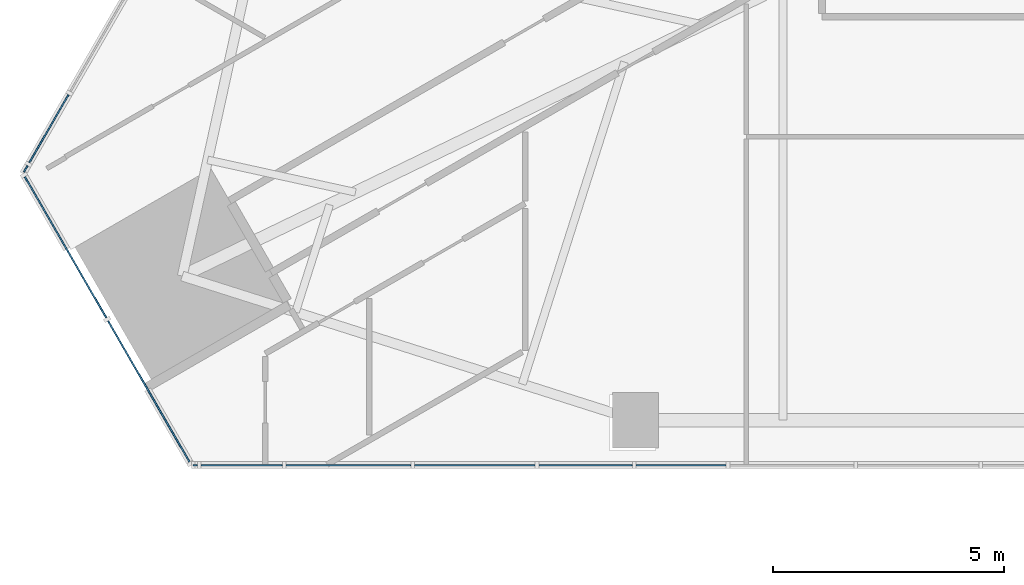
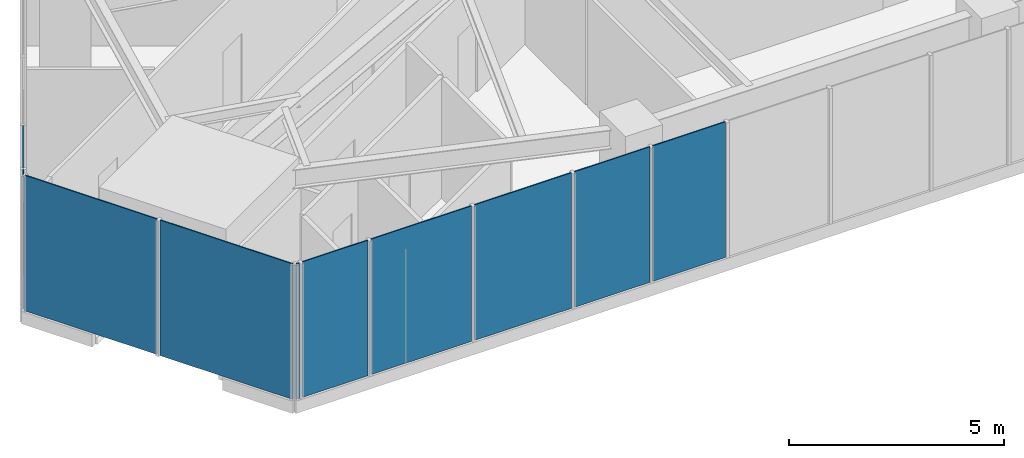
# One storey, part 13 of 29: 10 plates, 3 elements without a shape of their own.
"""IFC4 building model written with IfcOpenShell, lengths in metres."""

import ifcopenshell
import ifcopenshell.guid

model = None  # the IFC model being written
_history = None  # IfcOwnerHistory: only IFC2X3 demands one
_inside = {}  # id of a spatial element -> (the spatial element, [elements in it])
_under = {}  # id of a project, library or spatial element -> (it, [spatial elements below it])
_declared = {}  # id of a project -> (the project, [libraries it declares])
_typed = {}  # id of a type object -> (the type object, [elements of that type])
_made_of = {}  # id of a material, layer set ... -> (it, [elements and type objects made of it])


def new_model(schema):
    """Start an empty IFC model of exactly this schema.

    Asked for "IFC4X3", IfcOpenShell would pick the latest addendum, in which some entities
    have other attributes; the version numbers below select the first issue.
    IFC2X3 requires an IfcOwnerHistory on every rooted entity: one is made here for all.
    """
    global model, _history
    if schema == "IFC4X3":
        model = ifcopenshell.file(schema_version=(4, 3, 0, 0))
    else:
        model = ifcopenshell.file(schema=schema)
    _inside.clear()
    _under.clear()
    _declared.clear()
    _typed.clear()
    _made_of.clear()
    _history = None
    if model.schema == "IFC2X3":
        org = make("IfcOrganization", Name="unknown")
        user = make(
            "IfcPersonAndOrganization",
            ThePerson=make("IfcPerson", FamilyName="unknown"),
            TheOrganization=org,
        )
        app = make(
            "IfcApplication",
            ApplicationDeveloper=org,
            Version="unknown",
            ApplicationFullName="unknown",
            ApplicationIdentifier="unknown",
        )
        _history = make(
            "IfcOwnerHistory",
            OwningUser=user,
            OwningApplication=app,
            ChangeAction="ADDED",
            CreationDate=0,
        )
    return model


def make(cls, **values):
    """One entity of the class cls with the attributes given. An attribute that is None is left unset."""
    return model.create_entity(
        cls, **{name: value for name, value in values.items() if value is not None}
    )


def rooted(cls, **values):
    """An entity with a GlobalId (a new one), such as an element, a storey or a relation."""
    return make(cls, GlobalId=ifcopenshell.guid.new(), OwnerHistory=_history, **values)


def si_unit(unit_type, name, prefix=None):
    """IfcSIUnit, for example si_unit("LENGTHUNIT", "METRE", prefix="MILLI")."""
    return make("IfcSIUnit", UnitType=unit_type, Prefix=prefix, Name=name)


def assignment(units):
    """IfcUnitAssignment: the units of a project."""
    return None if units is None else make("IfcUnitAssignment", Units=units)


def point(xyz):
    """IfcCartesianPoint."""
    return None if xyz is None else make("IfcCartesianPoint", Coordinates=xyz)


def direction(xyz):
    """IfcDirection."""
    return None if xyz is None else make("IfcDirection", DirectionRatios=xyz)


def frame(location, z_axis=None, x_axis=None):
    """IfcAxis2Placement3D, a coordinate frame: its origin and axes. An axis left out is left unset."""
    return make(
        "IfcAxis2Placement3D",
        Location=point(location),
        Axis=direction(z_axis),
        RefDirection=direction(x_axis),
    )


def origin():
    """The frame at (0, 0, 0) with its axes left unset."""
    return frame((0.0, 0.0, 0.0))


def place(relative_to, where):
    """IfcLocalPlacement: puts the frame where relative to a parent placement (None: the world)."""
    return make(
        "IfcLocalPlacement", PlacementRelTo=relative_to, RelativePlacement=where
    )


def context(
    kind, dimensions, precision=None, world=None, true_north=None, identifier=None
):
    """IfcGeometricRepresentationContext, for example the 3D "Model" context."""
    return make(
        "IfcGeometricRepresentationContext",
        ContextIdentifier=identifier,
        ContextType=kind,
        CoordinateSpaceDimension=dimensions,
        Precision=precision,
        WorldCoordinateSystem=world,
        TrueNorth=true_north,
    )


def subcontext(parent, identifier, kind, view, scale=None):
    """IfcGeometricRepresentationSubContext, for example "Body" below "Model"."""
    return make(
        "IfcGeometricRepresentationSubContext",
        ContextIdentifier=identifier,
        ContextType=kind,
        ParentContext=parent,
        TargetScale=scale,
        TargetView=view,
    )


def project(units=None, contexts=None):
    """IfcProject with its units and contexts."""
    return rooted(
        "IfcProject",
        Name="project",
        RepresentationContexts=contexts,
        UnitsInContext=assignment(units),
    )


def spatial(cls, under=None, at=None, **own):
    """A site, building, storey or space (cls), placed at a placement, below another one or the project."""
    s = rooted(cls, ObjectPlacement=at, **own)
    if under is not None:
        _under.setdefault(under.id(), (under, []))[1].append(s)
    return s


def polyline(points):
    """IfcPolyline through the points."""
    return make("IfcPolyline", Points=[point(p) for p in points])


def outline(outer, holes=None, kind="AREA"):
    """IfcArbitraryClosedProfileDef: a profile drawn as a closed curve; with holes, ...WithVoids."""
    if holes is None:
        return make("IfcArbitraryClosedProfileDef", ProfileType=kind, OuterCurve=outer)
    return make(
        "IfcArbitraryProfileDefWithVoids",
        ProfileType=kind,
        OuterCurve=outer,
        InnerCurves=holes,
    )


def extrude(swept, where, along, depth):
    """IfcExtrudedAreaSolid: the profile swept, set in the frame where, extruded along a direction by depth."""
    return make(
        "IfcExtrudedAreaSolid",
        SweptArea=swept,
        Position=where,
        ExtrudedDirection=direction(along),
        Depth=depth,
    )


def shape(context_of_items, identifier, shape_type, items):
    """IfcShapeRepresentation: the items that make up one representation, for example the "Body"."""
    return make(
        "IfcShapeRepresentation",
        ContextOfItems=context_of_items,
        RepresentationIdentifier=identifier,
        RepresentationType=shape_type,
        Items=items,
    )


def material(Name=None, Category=None):
    """IfcMaterial."""
    return make("IfcMaterial", Name=Name, Category=Category)


def layer(
    of_material, thickness, ventilated=None, Name=None, Category=None, Priority=None
):
    """IfcMaterialLayer: one layer of a wall or slab, of a material (None: an air gap)."""
    return make(
        "IfcMaterialLayer",
        Material=of_material,
        LayerThickness=thickness,
        IsVentilated=ventilated,
        Name=Name,
        Category=Category,
        Priority=Priority,
    )


def layer_set(layers, Name=None):
    """IfcMaterialLayerSet."""
    return make("IfcMaterialLayerSet", MaterialLayers=layers, LayerSetName=Name)


def made_of(thing, what):
    """Note that an element or type object is made of a material, layer set ...; save() writes the relation."""
    if what is not None:
        _made_of.setdefault(what.id(), (what, []))[1].append(thing)
    return thing


def type_object(cls, material=None, **own):
    """A type object (cls), such as IfcWallType, which elements share."""
    return made_of(rooted(cls, **own), material)


def element(
    cls,
    number,
    at=None,
    inside=None,
    cuts=None,
    type_object=None,
    material=None,
    context=None,
    identifier="Body",
    shape_type=None,
    held_by="IfcProductDefinitionShape",
    body=None,
    shapes=None,
    **own,
):
    """One element of the class cls, such as IfcWall. Its Tag is "e" and its number.

    at: its placement. inside: the storey or other place that contains it. cuts: it is an
    opening in that element (IfcRelVoidsElement). A single representation is given by context,
    identifier, shape_type and body (its items); several are given by shapes. held_by: the class
    of the entity that holds the representations. save() writes the other relations.
    """
    e = rooted(cls, Tag="e%d" % number, ObjectPlacement=at, **own)
    if body is not None:
        shapes = [shape(context, identifier, shape_type, body)]
    if shapes is not None:
        e.Representation = make(held_by, Representations=shapes)
    if inside is not None:
        _inside.setdefault(inside.id(), (inside, []))[1].append(e)
    if cuts is not None:
        rooted(
            "IfcRelVoidsElement", RelatingBuildingElement=cuts, RelatedOpeningElement=e
        )
    if type_object is not None:
        _typed.setdefault(type_object.id(), (type_object, []))[1].append(e)
    return made_of(e, material)


def aggregate(whole, parts):
    """IfcRelAggregates: a whole, such as a stair, and the parts it consists of."""
    return rooted("IfcRelAggregates", RelatingObject=whole, RelatedObjects=parts)


def save(model, path):
    """Write the relations noted so far, then the file.

    IfcRelAggregates (storeys below a building ...), IfcRelContainedInSpatialStructure (elements
    in a storey), IfcRelDefinesByType, IfcRelAssociatesMaterial and IfcRelDeclares: one each for
    every whole, place, type object, material and project.
    """
    for whole, parts in _under.values():
        aggregate(whole, parts)
    for where, things in _inside.values():
        rooted(
            "IfcRelContainedInSpatialStructure",
            RelatedElements=things,
            RelatingStructure=where,
        )
    for kind, things in _typed.values():
        rooted("IfcRelDefinesByType", RelatedObjects=things, RelatingType=kind)
    for what, things in _made_of.values():
        rooted("IfcRelAssociatesMaterial", RelatedObjects=things, RelatingMaterial=what)
    for by, libraries in _declared.values():
        rooted("IfcRelDeclares", RelatingContext=by, RelatedDefinitions=libraries)
    model.write(path)


model = new_model("IFC4")

# Units and contexts
model_context = context("Model", 3, precision=1e-05, world=origin(), true_north=direction((0.0, 1.0)))
body_context = subcontext(model_context, "Body", "Model", "MODEL_VIEW")
ifc_project = project(units=[si_unit("LENGTHUNIT", "METRE"), si_unit("AREAUNIT", "SQUARE_METRE"), si_unit("VOLUMEUNIT", "CUBIC_METRE"), si_unit("PLANEANGLEUNIT", "RADIAN"), si_unit("MASSUNIT", "GRAM", prefix="KILO")], contexts=[model_context])

# Site, building, storey
site_placement = place(None, origin())
site = spatial("IfcSite", under=ifc_project, at=site_placement, CompositionType="ELEMENT")
building_placement = place(site_placement, origin())
building = spatial("IfcBuilding", under=site, at=building_placement, Name="Firuza Gate Tower and Library", CompositionType="ELEMENT")
storey_placement = place(building_placement, frame((0.0, 0.0, 48.39990234375)))
storey = spatial("IfcBuildingStorey", under=building, at=storey_placement, Name="L10", CompositionType="ELEMENT", Elevation=48.39990234375)

# Curtain wall, plates
ifc_material_1 = material(Name="Aluminium 6063-T6", Category="aluminium")
ifc_layer_1 = layer(ifc_material_1, 0.14990234375)
ifc_layer_set_1 = layer_set([ifc_layer_1], Name="Corner curtain wall, chamfers")
curtain_wall_type_1 = type_object("IfcCurtainWallType", Name="Corner curtain wall, chamfers", PredefinedType="NOTDEFINED", material=ifc_layer_set_1)
placement = place(storey_placement, origin())
curtain_wall_1 = element("IfcCurtainWall", 1, at=placement, inside=storey, type_object=curtain_wall_type_1, Name="CW4 L10 SW corner", PredefinedType="NOTDEFINED")
ifc_material_2 = material(Name="Fritted glass", Category="glass")
ifc_layer_2 = layer(ifc_material_2, 0.030029296875)
ifc_layer_set_2 = layer_set([ifc_layer_2], Name="Fritted glass unit, corners")
plate_type_1 = type_object("IfcPlateType", Name="Fritted glass unit, corners", PredefinedType="CURTAIN_PANEL", material=ifc_layer_set_2)
plate_1_placement = place(storey_placement, frame((42.61865234375, 60.46533203125, 0.150146484375), z_axis=(-0.866016723041, -0.500015035186, 0.0), x_axis=(0.500015035186, -0.866016723041, 0.0)))
plate_1 = element("IfcPlate", 2, at=plate_1_placement, type_object=plate_type_1, Name="Glass unit", PredefinedType="CURTAIN_PANEL", context=body_context, shape_type="SweptSolid", body=[
    extrude(outline(polyline([(0.0, 0.0), (3.5633694106530625, 0.0), (3.5633694106530625, 3.849853515625), (0.0, 3.849853515625), (0.0, 0.0)])), origin(), (0.0, 0.0, -1.0), 0.030029296875),
])
plate_2_placement = place(storey_placement, frame((44.4404296875, 57.310302734375, 0.150146484375), z_axis=(-0.866046390552, -0.49996364809, 0.0), x_axis=(0.49996364809, -0.866046390552, 0.0)))
plate_2 = element("IfcPlate", 3, at=plate_2_placement, type_object=plate_type_1, Name="Glass unit", PredefinedType="CURTAIN_PANEL", context=body_context, shape_type="SweptSolid", body=[
    extrude(outline(polyline([(0.0, 0.0), (3.563247342942594, 0.0), (3.563247342942594, 3.849853515625), (0.0, 3.849853515625), (0.0, 0.0)])), origin(), (0.0, 0.0, -1.0), 0.030029296875),
])
aggregate(curtain_wall_1, [plate_1, plate_2])

ifc_material_3 = material(Name="Aluminium 6063-T6", Category="aluminium")
ifc_layer_3 = layer(ifc_material_3, 0.14990234375)
ifc_layer_set_3 = layer_set([ifc_layer_3], Name="Unitised curtain wall, offices")
curtain_wall_type_2 = type_object("IfcCurtainWallType", Name="Unitised curtain wall, offices", PredefinedType="NOTDEFINED", material=ifc_layer_set_3)
curtain_wall_2 = element("IfcCurtainWall", 4, at=placement, inside=storey, type_object=curtain_wall_type_2, Name="CW1 L10 S face", PredefinedType="NOTDEFINED")
ifc_material_4 = material(Name="Fritted glass", Category="glass")
ifc_layer_4 = layer(ifc_material_4, 0.030029296875)
ifc_layer_set_4 = layer_set([ifc_layer_4], Name="Fritted glass unit, offices")
plate_type_2 = type_object("IfcPlateType", Name="Fritted glass unit, offices", PredefinedType="CURTAIN_PANEL", material=ifc_layer_set_4)
plate_3_placement = place(storey_placement, frame((46.462890625, 54.18212890625, 0.150146484375), z_axis=(0.0, -1.0, 0.0), x_axis=(1.0, 0.0, 0.0)))
plate_3 = element("IfcPlate", 5, at=plate_3_placement, type_object=plate_type_2, Name="Glass unit", PredefinedType="CURTAIN_PANEL", context=body_context, shape_type="SweptSolid", body=[
    extrude(outline(polyline([(0.0, 0.0), (1.76318359375, 0.0), (1.76318359375, 3.849853515625), (0.0, 3.849853515625), (0.0, 0.0)])), origin(), (0.0, 0.0, -1.0), 0.030029296875),
])
plate_4_placement = place(storey_placement, frame((53.77392578125, 54.18212890625, 0.150146484375), z_axis=(0.0, -1.0, 0.0), x_axis=(1.0, 0.0, 0.0)))
plate_4 = element("IfcPlate", 6, at=plate_4_placement, type_object=plate_type_2, Name="Glass unit", PredefinedType="CURTAIN_PANEL", context=body_context, shape_type="SweptSolid", body=[
    extrude(outline(polyline([(0.0, 0.0), (2.022705078125, 0.0), (2.022705078125, 3.849853515625), (0.0, 3.849853515625), (0.0, 0.0)])), origin(), (0.0, 0.0, -1.0), 0.030029296875),
])
plate_5_placement = place(storey_placement, frame((55.876708984375, 54.18212890625, 0.150146484375), z_axis=(0.0, -1.0, 0.0), x_axis=(1.0, 0.0, 0.0)))
plate_5 = element("IfcPlate", 7, at=plate_5_placement, type_object=plate_type_2, Name="Glass unit", PredefinedType="CURTAIN_PANEL", context=body_context, shape_type="SweptSolid", body=[
    extrude(outline(polyline([(0.0, 0.0), (1.949462890625, 0.0), (1.949462890625, 3.849853515625), (0.0, 3.849853515625), (0.0, 0.0)])), origin(), (0.0, 0.0, -1.0), 0.030029296875),
])

# Curtain wall, plate
curtain_wall_3 = element("IfcCurtainWall", 8, at=placement, inside=storey, type_object=curtain_wall_type_2, Name="CW1 L10 W face", PredefinedType="NOTDEFINED")
plate_6_placement = place(storey_placement, frame((43.584228515625, 62.22216796875, 0.150146484375), z_axis=(-0.866022790583, 0.50000452617, 0.0), x_axis=(-0.50000452617, -0.866022790583, 0.0)))
plate_6 = element("IfcPlate", 9, at=plate_6_placement, type_object=plate_type_2, Name="Glass unit", PredefinedType="CURTAIN_PANEL", context=body_context, shape_type="SweptSolid", body=[
    extrude(outline(polyline([(0.0, 0.0), (1.6982268145733541, 0.0), (1.6982268145733541, 3.849853515625), (0.0, 3.849853515625), (0.0, 0.0)])), origin(), (0.0, 0.0, -1.0), 0.030029296875),
])

# Plate
ifc_material_5 = material(Name="Glazed ceramic tile")
ifc_layer_5 = layer(ifc_material_5, 0.030029296875)
ifc_layer_set_5 = layer_set([ifc_layer_5], Name="Opaque ceramic panel, offices")
plate_type_3 = type_object("IfcPlateType", Name="Opaque ceramic panel, offices", PredefinedType="CURTAIN_PANEL", material=ifc_layer_set_5)
plate_7_placement = place(storey_placement, frame((46.294921875, 54.18212890625, 0.150146484375), z_axis=(0.0, -1.0, 0.0), x_axis=(1.0, 0.0, 0.0)))
plate_7 = element("IfcPlate", 10, at=plate_7_placement, type_object=plate_type_3, Name="Opaque ceramic panel", PredefinedType="CURTAIN_PANEL", context=body_context, shape_type="SweptSolid", body=[
    extrude(outline(polyline([(0.0, 0.0), (0.087890625, 0.0), (0.087890625, 3.849853515625), (0.0, 3.849853515625), (0.0, 0.0)])), origin(), (0.0, 0.0, -1.0), 0.030029296875),
])

plate_8_placement = place(storey_placement, frame((48.30615234375, 54.18212890625, 0.150146484375), z_axis=(0.0, -1.0, 0.0), x_axis=(1.0, 0.0, 0.0)))
plate_8 = element("IfcPlate", 11, at=plate_8_placement, type_object=plate_type_3, Name="Opaque ceramic panel", PredefinedType="CURTAIN_PANEL", context=body_context, shape_type="SweptSolid", body=[
    extrude(outline(polyline([(0.0, 0.0), (2.69970703125, 0.0), (2.69970703125, 3.849853515625), (0.0, 3.849853515625), (0.0, 0.0)])), origin(), (0.0, 0.0, -1.0), 0.030029296875),
])

plate_9_placement = place(storey_placement, frame((51.0859375, 54.18212890625, 0.150146484375), z_axis=(0.0, -1.0, 0.0), x_axis=(1.0, 0.0, 0.0)))
plate_9 = element("IfcPlate", 12, at=plate_9_placement, type_object=plate_type_3, Name="Opaque ceramic panel", PredefinedType="CURTAIN_PANEL", context=body_context, shape_type="SweptSolid", body=[
    extrude(outline(polyline([(0.0, 0.0), (2.60791015625, 0.0), (2.60791015625, 3.849853515625), (0.0, 3.849853515625), (0.0, 0.0)])), origin(), (0.0, 0.0, -1.0), 0.030029296875),
])

aggregate(curtain_wall_2, [plate_7, plate_3, plate_8, plate_9, plate_4, plate_5])

plate_10_placement = place(storey_placement, frame((42.695068359375, 60.68212890625, 0.150146484375), z_axis=(-0.866371464372, 0.499400125872, 0.0), x_axis=(-0.499400125872, -0.866371464372, 0.0)))
plate_10 = element("IfcPlate", 13, at=plate_10_placement, type_object=plate_type_3, Name="Opaque ceramic panel", PredefinedType="CURTAIN_PANEL", context=body_context, shape_type="SweptSolid", body=[
    extrude(outline(polyline([(0.0, 0.0), (0.15301561146294648, 0.0), (0.15301561146294648, 3.849853515625001), (0.0, 3.849853515625001), (0.0, 0.0)])), origin(), (0.0, 0.0, -1.0), 0.030029296875),
])

aggregate(curtain_wall_3, [plate_6, plate_10])

save(model, "model.ifc")
